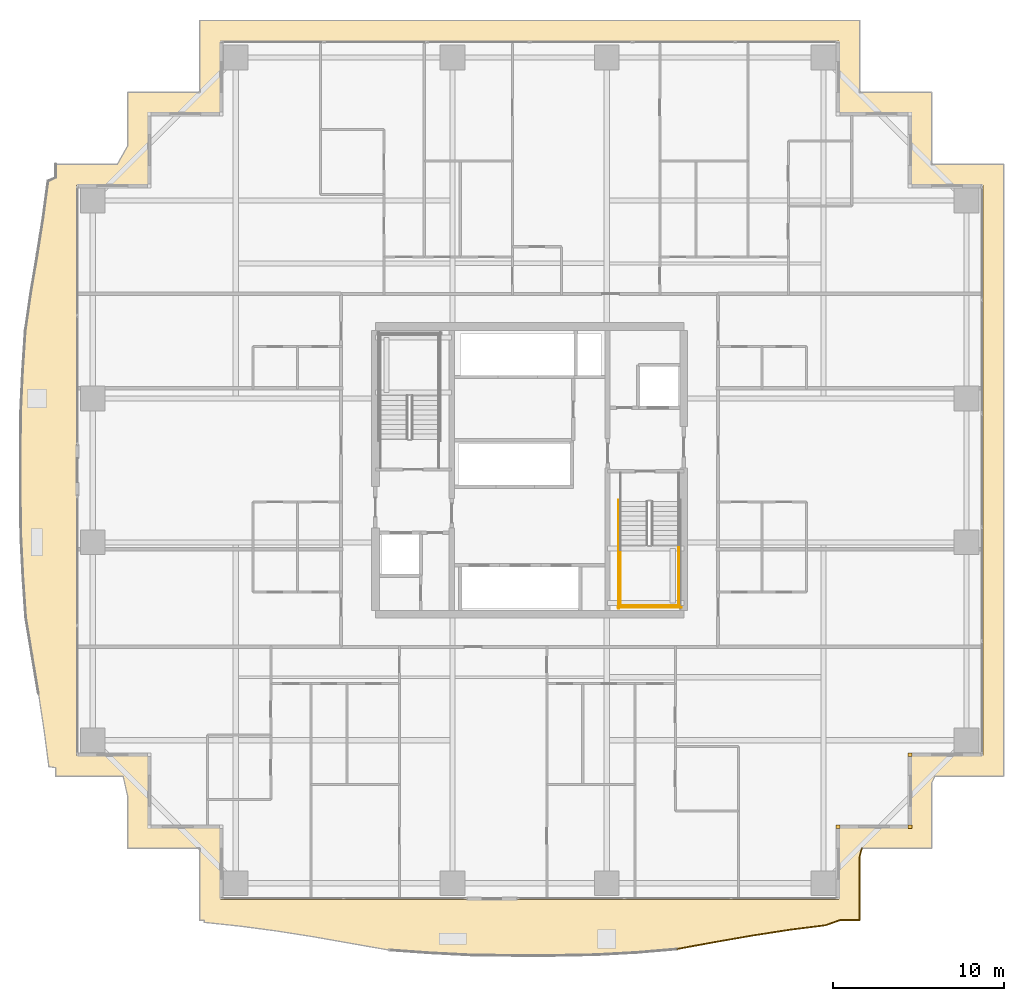
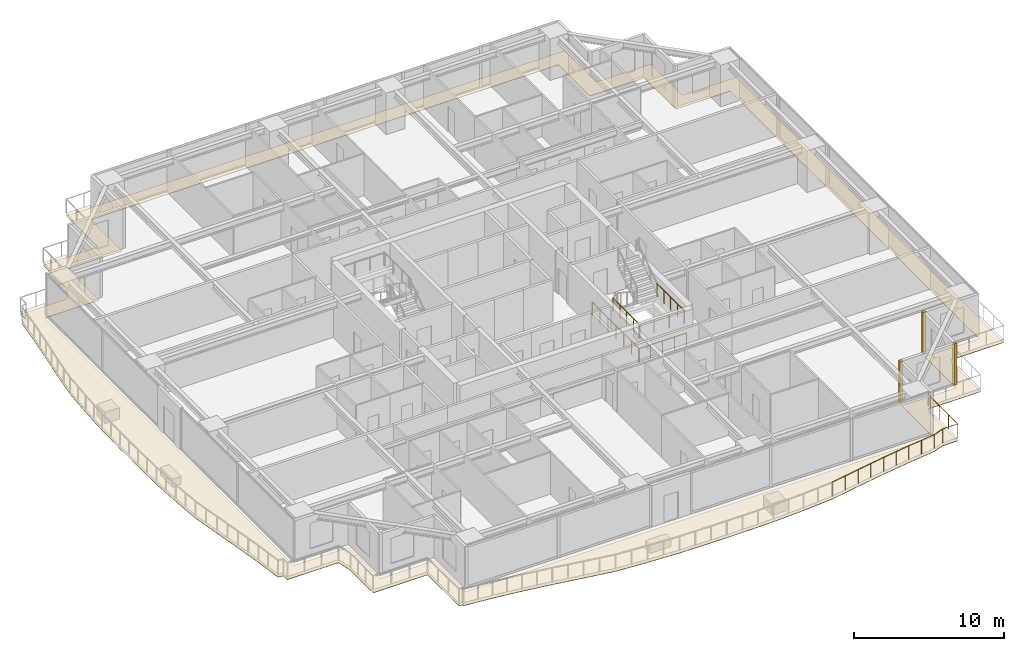
# One storey, part 36 of 40: 6 railings, 4 coverings.
"""IFC4 building model written with IfcOpenShell, lengths in metres."""

from ifc_helpers import new_model, si_unit, direction, frame, origin, origin_2d, place, context, subcontext, project, spatial, polyline, rectangle, circle, outline, extrude, source, transform, mapped, material, layer, layer_set, type_object, element, save


model = new_model("IFC4")

# Units and contexts
model_context = context("Model", 3, precision=1e-05, world=origin(), true_north=direction((0.0, 1.0)))
body_context = subcontext(model_context, "Body", "Model", "MODEL_VIEW")
ifc_project = project(units=[si_unit("LENGTHUNIT", "METRE"), si_unit("AREAUNIT", "SQUARE_METRE"), si_unit("VOLUMEUNIT", "CUBIC_METRE"), si_unit("PLANEANGLEUNIT", "RADIAN"), si_unit("MASSUNIT", "GRAM", prefix="KILO")], contexts=[model_context])

# Site, building, storey
site_placement = place(None, origin())
site = spatial("IfcSite", under=ifc_project, at=site_placement, CompositionType="ELEMENT")
building_placement = place(site_placement, origin())
building = spatial("IfcBuilding", under=site, at=building_placement, Name="Serunith Strait Residences", CompositionType="ELEMENT")
storey_placement = place(building_placement, frame((0.0, 0.0, 105.449951171875)))
storey = spatial("IfcBuildingStorey", under=building, at=storey_placement, Name="L26", CompositionType="ELEMENT", Elevation=105.449951171875)

# Covering
ifc_material_1 = material(Name="Golden Teak Exterior Timber Boarding", Category="wood")
ifc_layer_1 = layer(ifc_material_1, 0.034912109375, Name="Golden Teak Exterior Timber Boarding")
ifc_layer_set_1 = layer_set([ifc_layer_1], Name="Golden Teak Exterior Timber Boarding")
covering_type_1 = type_object("IfcCoveringType", Name="COV-TEAK-SOFFIT", PredefinedType="CEILING", material=ifc_layer_set_1)
covering_placement = place(storey_placement, frame((0.0, 0.0, -0.324951171875)))
element("IfcCovering", 1, at=covering_placement, inside=storey, type_object=covering_type_1, Name="L26 Golden-Teak Balcony Soffit Lining", PredefinedType="CEILING", context=body_context, shape_type="SweptSolid", body=[
    extrude(outline(polyline([(13.139892578125, 3.139892578125), (8.93994140625, 3.139892578125), (8.93994140625, 6.188720703125), (8.676513671875, 7.340087890625), (4.739990234375, 7.340087890625), (4.739990234375, 7.847412109375), (4.341552734375, 7.91162109375), (4.064208984375, 10.039306640625), (3.735107421875, 12.188720703125), (3.365234375, 14.376220703125), (2.995849609375, 16.623779296875), (2.835205078125, 18.975341796875), (2.716064453125, 21.3583984375), (2.679931640625, 23.76318359375), (2.679931640625, 26.1767578125), (2.701416015625, 28.584228515625), (2.812255859375, 30.971923828125), (2.966796875, 33.32958984375), (3.2958984375, 35.599609375), (3.670654296875, 37.79638671875), (4.008056640625, 39.95166015625), (4.294677734375, 42.082763671875), (4.739990234375, 42.286376953125), (4.739990234375, 43.06005859375), (8.331298828125, 43.06005859375), (8.93994140625, 44.126708984375), (8.93994140625, 47.260009765625), (13.139892578125, 47.260009765625), (13.139892578125, 51.4599609375), (51.659912109375, 51.4599609375), (51.659912109375, 47.260009765625), (55.860107421875, 47.260009765625), (55.860107421875, 43.06005859375), (60.06005859375, 43.06005859375), (60.06005859375, 7.340087890625), (56.041259765625, 7.340087890625), (55.860107421875, 6.9423828125), (55.860107421875, 3.139892578125), (51.796875, 3.139892578125), (51.659912109375, 2.62451171875), (51.659912109375, -1.06005859375), (50.50732421875, -1.06005859375), (49.679443359375, -1.356689453125), (47.557373046875, -1.626953125), (45.4169921875, -1.95654296875), (43.240234375, -2.3369140625), (41.006591796875, -2.743408203125), (38.6572265625, -2.94384765625), (36.264404296875, -3.0751953125), (33.845703125, -3.1201171875), (31.4169921875, -3.1201171875), (28.99560546875, -3.091796875), (26.59716796875, -2.96923828125), (24.2333984375, -2.800048828125), (21.98193359375, -2.409423828125), (19.7958984375, -2.0224609375), (17.650146484375, -1.68310546875), (15.525390625, -1.402099609375), (13.40771484375, -1.17822265625), (13.408447265625, -1.06005859375), (13.139892578125, -1.06005859375), (13.139892578125, 3.139892578125)]), holes=[polyline([(50.455078125, 0.14501953125), (50.455078125, 4.344970703125), (54.655029296875, 4.344970703125), (54.655029296875, 8.544921875), (58.85498046875, 8.544921875), (58.85498046875, 41.85498046875), (54.655029296875, 41.85498046875), (54.655029296875, 46.054931640625), (50.455078125, 46.054931640625), (50.455078125, 50.2548828125), (14.344970703125, 50.2548828125), (14.344970703125, 46.054931640625), (10.14501953125, 46.054931640625), (10.14501953125, 41.85498046875), (5.945068359375, 41.85498046875), (5.945068359375, 8.544921875), (10.14501953125, 8.544921875), (10.14501953125, 4.344970703125), (14.344970703125, 4.344970703125), (14.344970703125, 0.14501953125), (50.455078125, 0.14501953125)])]), origin(), (0.0, 0.0, 1.0), 0.034912109375),
])

# Railings
ifc_material_2 = material(Name="Stainless Steel & Laminated Glass Balustrade", Category="steel")
railing_type_1 = type_object("IfcRailingType", Name="RLG-BALC-1150", PredefinedType="BALUSTRADE", material=ifc_material_2)
railing_1_placement = place(storey_placement, frame((51.796875, 3.139892578125, -0.050048828125)))
element("IfcRailing", 2, at=railing_1_placement, inside=storey, type_object=railing_type_1, Name="L26 Swirling Balcony Perimeter Balustrade 6", PredefinedType="BALUSTRADE", context=body_context, shape_type="SweptSolid", body=[
    extrude(circle(Radius=0.02392578125, at=origin_2d()), frame((-0.00048828125, -0.001953125, 1.1259765625), z_axis=(-0.256836203357, -0.966454947033, 0.0), x_axis=(0.966454947033, -0.256836203357, 0.0)), (0.0, 0.0, 1.0), 0.529296875),
    extrude(circle(Radius=0.02392578125, at=origin_2d()), frame((-0.136962890625, -0.517333984375, 1.1259765625), z_axis=(0.0, -1.0, 0.0), x_axis=(1.0, 0.0, 0.0)), (0.0, 0.0, 1.0), 3.6806640625),
    extrude(circle(Radius=0.02392578125, at=origin_2d()), frame((-0.138916015625, -4.199951171875, 1.1259765625), z_axis=(-1.0, 0.0, 0.0), x_axis=(0.0, -1.0, 0.0)), (0.0, 0.0, 1.0), 1.148681640625),
    extrude(circle(Radius=0.02392578125, at=origin_2d()), frame((-1.29150390625, -4.20068359375, 1.1259765625), z_axis=(-0.941395965047, -0.337303479072, 0.0), x_axis=(0.337303479072, -0.941395965047, 0.0)), (0.0, 0.0, 1.0), 0.87548828125),
    extrude(circle(Radius=0.02392578125, at=origin_2d()), frame((-2.119384765625, -4.496826171875, 1.1259765625), z_axis=(-0.991987252922, -0.126337999193, 0.0), x_axis=(0.126337999193, -0.991987252922, 0.0)), (0.0, 0.0, 1.0), 2.13525390625),
    extrude(circle(Radius=0.02392578125, at=origin_2d()), frame((-4.241455078125, -4.76708984375, 1.1259765625), z_axis=(-0.988350835575, -0.152192725907, 0.0), x_axis=(0.152192725907, -0.988350835575, 0.0)), (0.0, 0.0, 1.0), 2.16162109375),
    extrude(circle(Radius=0.02392578125, at=origin_2d()), frame((-6.3818359375, -5.0966796875, 1.1259765625), z_axis=(-0.985073584611, -0.172133764561, 0.0), x_axis=(0.172133764561, -0.985073584611, 0.0)), (0.0, 0.0, 1.0), 2.205810546875),
    extrude(circle(Radius=0.02392578125, at=origin_2d()), frame((-8.55859375, -5.47705078125, 1.1259765625), z_axis=(-0.983840647341, -0.179046308648, 0.0), x_axis=(0.179046308648, -0.983840647341, 0.0)), (0.0, 0.0, 1.0), 2.266357421875),
    extrude(circle(Radius=0.02099609375, at=origin_2d()), origin(), (0.0, 0.0, 1.0), 1.099853515625),
    extrude(circle(Radius=0.02099609375, at=origin_2d()), frame((-0.136962890625, -0.515380859375, 0.0)), (0.0, 0.0, 1.0), 1.099853515625),
    extrude(circle(Radius=0.02099609375, at=origin_2d()), frame((-0.136962890625, -1.74365234375, 0.0)), (0.0, 0.0, 1.0), 1.099853515625),
    extrude(circle(Radius=0.02099609375, at=origin_2d()), frame((-0.136962890625, -2.9716796875, 0.0)), (0.0, 0.0, 1.0), 1.099853515625),
    extrude(circle(Radius=0.02099609375, at=origin_2d()), frame((-0.136962890625, -4.199951171875, 0.0)), (0.0, 0.0, 1.0), 1.099853515625),
    extrude(circle(Radius=0.02099609375, at=origin_2d()), frame((-1.28955078125, -4.199951171875, 0.0)), (0.0, 0.0, 1.0), 1.099853515625),
    extrude(circle(Radius=0.02099609375, at=origin_2d()), frame((-2.117431640625, -4.49658203125, 0.0)), (0.0, 0.0, 1.0), 1.099853515625),
    extrude(circle(Radius=0.02099609375, at=origin_2d()), frame((-3.178466796875, -4.6318359375, 0.0)), (0.0, 0.0, 1.0), 1.099853515625),
    extrude(circle(Radius=0.02099609375, at=origin_2d()), frame((-4.239501953125, -4.766845703125, 0.0)), (0.0, 0.0, 1.0), 1.099853515625),
    extrude(circle(Radius=0.02099609375, at=origin_2d()), frame((-5.3095703125, -4.931640625, 0.0)), (0.0, 0.0, 1.0), 1.099853515625),
    extrude(circle(Radius=0.02099609375, at=origin_2d()), frame((-6.3798828125, -5.096435546875, 0.0)), (0.0, 0.0, 1.0), 1.099853515625),
    extrude(circle(Radius=0.02099609375, at=origin_2d()), frame((-7.46826171875, -5.28662109375, 0.0)), (0.0, 0.0, 1.0), 1.099853515625),
    extrude(circle(Radius=0.02099609375, at=origin_2d()), frame((-8.556640625, -5.476806640625, 0.0)), (0.0, 0.0, 1.0), 1.099853515625),
    extrude(circle(Radius=0.02099609375, at=origin_2d()), frame((-9.67333984375, -5.68017578125, 0.0)), (0.0, 0.0, 1.0), 1.099853515625),
    extrude(circle(Radius=0.02099609375, at=origin_2d()), frame((-10.790283203125, -5.88330078125, 0.0)), (0.0, 0.0, 1.0), 1.099853515625),
])
ifc_material_3 = material(Name="Brushed stainless steel 316L", Category="steel")
railing_type_2 = type_object("IfcRailingType", Name="RLG-STAIR-GUARD", PredefinedType="BALUSTRADE", material=ifc_material_3)
for number, where, name in (
    (3, (37.699951171875, 20.85009765625, 1.875), "L26 ST-2 stair guard 3"),
    (4, (41.10009765625, 20.85009765625, 1.875), "L26 ST-2 stair guard 4"),
):
    element("IfcRailing", number, at=place(storey_placement, frame(where)), inside=storey, type_object=railing_type_2, Name=name, PredefinedType="BALUSTRADE", context=body_context, shape_type="SweptSolid", body=[
        extrude(circle(Radius=0.02392578125, at=origin_2d()), frame((0.0, -0.001953125, 1.076171875), z_axis=(0.0, -1.0, 0.0), x_axis=(1.0, 0.0, 0.0)), (0.0, 0.0, 1.0), 3.59619140625),
        extrude(circle(Radius=0.02099609375, at=origin_2d()), origin(), (0.0, 0.0, 1.0), 1.050048828125),
        extrude(circle(Radius=0.02099609375, at=origin_2d()), frame((0.0, -0.89990234375, 0.0)), (0.0, 0.0, 1.0), 1.050048828125),
        extrude(circle(Radius=0.02099609375, at=origin_2d()), frame((0.0, -1.800048828125, 0.0)), (0.0, 0.0, 1.0), 1.050048828125),
        extrude(circle(Radius=0.02099609375, at=origin_2d()), frame((0.0, -2.7001953125, 0.0)), (0.0, 0.0, 1.0), 1.050048828125),
        extrude(circle(Radius=0.02099609375, at=origin_2d()), frame((0.0, -3.60009765625, 0.0)), (0.0, 0.0, 1.0), 1.050048828125),
    ])
railing_2_placement = place(storey_placement, frame((37.64990234375, 17.300048828125, 1.875)))
element("IfcRailing", 5, at=railing_2_placement, inside=storey, type_object=railing_type_2, Name="L26 ST-2 stair guard 5", PredefinedType="BALUSTRADE", context=body_context, shape_type="SweptSolid", body=[
    extrude(circle(Radius=0.02392578125, at=origin_2d()), frame((0.001953125, 0.0, 1.076171875), z_axis=(1.0, 0.0, 0.0), x_axis=(0.0, 1.0, 0.0)), (0.0, 0.0, 1.0), 3.49609375),
    extrude(circle(Radius=0.02099609375, at=origin_2d()), origin(), (0.0, 0.0, 1.0), 1.050048828125),
    extrude(circle(Radius=0.02099609375, at=origin_2d()), frame((1.166748046875, 0.0, 0.0)), (0.0, 0.0, 1.0), 1.050048828125),
    extrude(circle(Radius=0.02099609375, at=origin_2d()), frame((2.333251953125, 0.0, 0.0)), (0.0, 0.0, 1.0), 1.050048828125),
    extrude(circle(Radius=0.02099609375, at=origin_2d()), frame((3.5, 0.0, 0.0)), (0.0, 0.0, 1.0), 1.050048828125),
])
railing_3_placement = place(storey_placement, frame((37.60009765625, 23.469970703125, 0.0)))
element("IfcRailing", 6, at=railing_3_placement, inside=storey, type_object=railing_type_2, Name="L26 ST-2 stair guard 10", PredefinedType="BALUSTRADE", context=body_context, shape_type="SweptSolid", body=[
    extrude(circle(Radius=0.02392578125, at=origin_2d()), frame((0.0, -0.001953125, 1.076171875), z_axis=(0.0, -1.0, 0.0), x_axis=(1.0, 0.0, 0.0)), (0.0, 0.0, 1.0), 6.316162109375),
    extrude(circle(Radius=0.02099609375, at=origin_2d()), origin(), (0.0, 0.0, 1.0), 1.050048828125),
    extrude(circle(Radius=0.02099609375, at=origin_2d()), frame((0.0, -1.05322265625, 0.0)), (0.0, 0.0, 1.0), 1.050048828125),
    extrude(circle(Radius=0.02099609375, at=origin_2d()), frame((0.0, -2.106689453125, 0.0)), (0.0, 0.0, 1.0), 1.050048828125),
    extrude(circle(Radius=0.02099609375, at=origin_2d()), frame((0.0, -3.16015625, 0.0)), (0.0, 0.0, 1.0), 1.050048828125),
    extrude(circle(Radius=0.02099609375, at=origin_2d()), frame((0.0, -4.21337890625, 0.0)), (0.0, 0.0, 1.0), 1.050048828125),
    extrude(circle(Radius=0.02099609375, at=origin_2d()), frame((0.0, -5.2666015625, 0.0)), (0.0, 0.0, 1.0), 1.050048828125),
    extrude(circle(Radius=0.02099609375, at=origin_2d()), frame((0.0, -6.320068359375, 0.0)), (0.0, 0.0, 1.0), 1.050048828125),
])
railing_4_placement = place(storey_placement, frame((37.550048828125, 17.199951171875, 0.0)))
element("IfcRailing", 7, at=railing_4_placement, inside=storey, type_object=railing_type_2, Name="L26 ST-2 stair guard 12", PredefinedType="BALUSTRADE", context=body_context, shape_type="SweptSolid", body=[
    extrude(circle(Radius=0.02392578125, at=origin_2d()), frame((0.001953125, 0.0, 1.076171875), z_axis=(1.0, 0.0, 0.0), x_axis=(0.0, 1.0, 0.0)), (0.0, 0.0, 1.0), 3.696044921875),
    extrude(circle(Radius=0.02099609375, at=origin_2d()), origin(), (0.0, 0.0, 1.0), 1.050048828125),
    extrude(circle(Radius=0.02099609375, at=origin_2d()), frame((0.925048828125, 0.0, 0.0)), (0.0, 0.0, 1.0), 1.050048828125),
    extrude(circle(Radius=0.02099609375, at=origin_2d()), frame((1.85009765625, 0.0, 0.0)), (0.0, 0.0, 1.0), 1.050048828125),
    extrude(circle(Radius=0.02099609375, at=origin_2d()), frame((2.77490234375, 0.0, 0.0)), (0.0, 0.0, 1.0), 1.050048828125),
    extrude(circle(Radius=0.02099609375, at=origin_2d()), frame((3.699951171875, 0.0, 0.0)), (0.0, 0.0, 1.0), 1.050048828125),
])

# Coverings
ifc_material_4 = material(Name="Pale-Champagne Anodised Aluminium", Category="aluminium")
ifc_layer_2 = layer(ifc_material_4, 0.219970703125, Name="Pale-Champagne Anodised Aluminium")
ifc_layer_set_2 = layer_set([ifc_layer_2], Name="Pale-Champagne Anodised Aluminium")
covering_type_2 = type_object("IfcCoveringType", Name="COV-CORN-TRIM", PredefinedType="CLADDING", material=ifc_layer_set_2)
shared_shape = source(origin(), body_context, "Body", "SweptSolid", [
    extrude(rectangle(XDim=0.221923828125, YDim=0.221923828125, at=origin_2d()), origin(), (0.0, 0.0, 1.0), 3.375),
])
for number, where, z_axis, x_axis, name in (
    (8, (50.39990234375, 4.39990234375, 0.0), (0.0, 0.0, 1.0), (1.0, 0.0, 0.0), "L26 Girih Serrated Corner Trim Post 02"),
    (9, (54.60009765625, 4.39990234375, 0.0), (0.0, 0.0, 1.0), (1.0, 0.0, 0.0), "L26 Girih Serrated Corner Trim Post 03"),
    (10, (54.60009765625, 8.60009765625, 0.0), (0.0, 0.0, 1.0), (1.0, 0.0, 0.0), "L26 Girih Serrated Corner Trim Post 04"),
):
    element("IfcCovering", number, at=place(storey_placement, frame(where, z_axis=z_axis, x_axis=x_axis)), inside=storey, type_object=covering_type_2, Name=name, PredefinedType="CLADDING", context=body_context, shape_type="MappedRepresentation", body=[
        mapped(shared_shape, transform((0.0, 0.0, 0.0), scale=1.0)),
    ])

save(model, "model.ifc")
